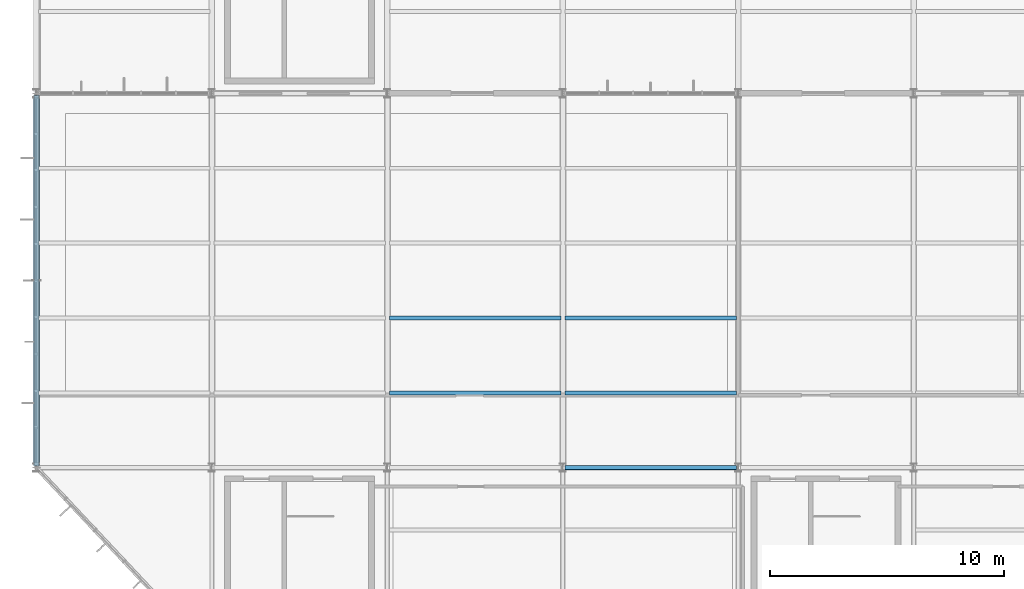
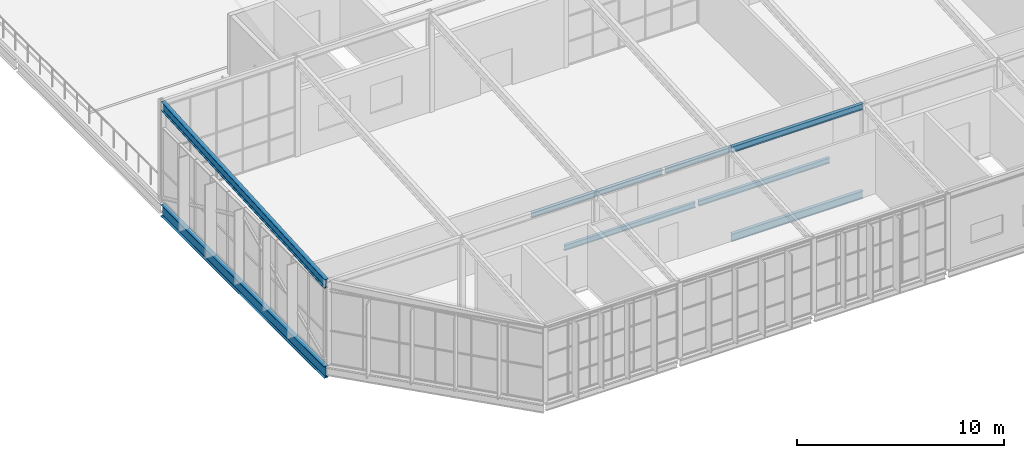
# One storey, part 15 of 104: 8 beams.
"""IFC4 building model written with IfcOpenShell, lengths in metres."""

from ifc_helpers import new_model, si_unit, direction, frame, origin, origin_2d, place, context, subcontext, project, spatial, i_section, extrude, material, material_profile, profile_set, type_object, element, save


model = new_model("IFC4")

# Units and contexts
model_context = context("Model", 3, precision=1e-05, world=origin(), true_north=direction((0.0, 1.0)))
body_context = subcontext(model_context, "Body", "Model", "MODEL_VIEW")
ifc_project = project(units=[si_unit("LENGTHUNIT", "METRE"), si_unit("AREAUNIT", "SQUARE_METRE"), si_unit("VOLUMEUNIT", "CUBIC_METRE"), si_unit("PLANEANGLEUNIT", "RADIAN"), si_unit("MASSUNIT", "GRAM", prefix="KILO")], contexts=[model_context])

# Site, building, storey
site_placement = place(None, origin())
site = spatial("IfcSite", under=ifc_project, at=site_placement, CompositionType="ELEMENT")
building_placement = place(site_placement, origin())
building = spatial("IfcBuilding", under=site, at=building_placement, Name="Solvenia Promenade Tram Depot", CompositionType="ELEMENT")
storey_placement = place(building_placement, frame((0.0, 0.0, 9.0)))
storey = spatial("IfcBuildingStorey", under=building, at=storey_placement, Name="L02", CompositionType="ELEMENT", Elevation=9.0)

# Beams
ifc_material = material(Name="Structural steel ASTM A992 Gr. 50", Category="steel")
ifc_material_profile_1 = material_profile(ifc_material, i_section(OverallWidth=0.19091796875, OverallDepth=0.4599609375, WebThickness=0.010009765625, FlangeThickness=0.01611328125, FilletRadius=0.012939453125, at=origin_2d()), Name="W460x82", Category="steel")
ifc_profile_set_1 = profile_set([ifc_material_profile_1], Name="Structural steel ASTM A992 Gr. 50")
beam_type_1 = type_object("IfcBeamType", Name="Beam-W460x82", PredefinedType="BEAM", material=ifc_profile_set_1)
beam_1_placement = place(storey_placement, frame((22.5849609375, 8.0, -0.449951171875), z_axis=(1.0, 0.0, 0.0), x_axis=(0.0, 1.0, 0.0)))
element("IfcBeam", 1, at=beam_1_placement, inside=storey, type_object=beam_type_1, Name="Primary Girder BM-L02-0532", PredefinedType="BEAM", context=body_context, shape_type="SweptSolid", body=[
    extrude(i_section(OverallWidth=0.19091796875, OverallDepth=0.4599609375, WebThickness=0.010009765625, FlangeThickness=0.01611328125, FilletRadius=0.012939453125, at=origin_2d()), origin(), (0.0, 0.0, 1.0), 7.330078125),
])
ifc_material_profile_2 = material_profile(ifc_material, i_section(OverallWidth=0.2099609375, OverallDepth=0.537109375, WebThickness=0.010986328125, FlangeThickness=0.017333984375, FilletRadius=0.013916015625, at=origin_2d()), Name="W530x101", Category="steel")
ifc_profile_set_2 = profile_set([ifc_material_profile_2], Name="Structural steel ASTM A992 Gr. 50")
beam_type_2 = type_object("IfcBeamType", Name="Gird-W530x101", PredefinedType="BEAM", material=ifc_profile_set_2)
beam_2_placement = place(storey_placement, frame((0.0, 8.0849609375, 4.658203125), z_axis=(0.0, 0.998266347418, 0.058858301144), x_axis=(-1.0, 0.0, 0.0)))
element("IfcBeam", 2, at=beam_2_placement, inside=storey, type_object=beam_type_2, Name="Folded Wing Main Rafter BM-L02-0843", PredefinedType="BEAM", context=body_context, shape_type="SweptSolid", body=[
    extrude(i_section(OverallWidth=0.2099609375, OverallDepth=0.537109375, WebThickness=0.010986328125, FlangeThickness=0.017333984375, FilletRadius=0.013916015625, at=origin_2d()), origin(), (0.0, 0.0, 1.0), 15.857666015625),
])
ifc_material_profile_3 = material_profile(ifc_material, i_section(OverallWidth=0.25390625, OverallDepth=0.68408203125, WebThickness=0.012451171875, FlangeThickness=0.018798828125, FilletRadius=0.01611328125, at=origin_2d()), Name="W690x140", Category="steel")
ifc_profile_set_3 = profile_set([ifc_material_profile_3], Name="Structural steel ASTM A992 Gr. 50")
beam_type_3 = type_object("IfcBeamType", Name="Gird-W690x140", PredefinedType="BEAM", material=ifc_profile_set_3)
beam_3_placement = place(storey_placement, frame((0.0, 8.0849609375, -0.56201171875), z_axis=(0.0, 1.0, 0.0), x_axis=(-1.0, 0.0, 0.0)))
element("IfcBeam", 3, at=beam_3_placement, inside=storey, type_object=beam_type_3, Name="Transverse Girder BM-L02-0543", PredefinedType="BEAM", context=body_context, shape_type="SweptSolid", body=[
    extrude(i_section(OverallWidth=0.25390625, OverallDepth=0.68408203125, WebThickness=0.012451171875, FlangeThickness=0.018798828125, FilletRadius=0.01611328125, at=origin_2d()), origin(), (0.0, 0.0, 1.0), 15.830078125),
])
ifc_material_profile_4 = material_profile(ifc_material, i_section(OverallWidth=0.166015625, OverallDepth=0.31298828125, WebThickness=0.006591796875, FlangeThickness=0.01123046875, FilletRadius=0.010009765625, at=origin_2d()), Name="W310x45", Category="steel")
ifc_profile_set_4 = profile_set([ifc_material_profile_4], Name="Structural steel ASTM A992 Gr. 50")
beam_type_4 = type_object("IfcBeamType", Name="Joist-W310x45", PredefinedType="JOIST", material=ifc_profile_set_4)
for number, where, z_axis, x_axis, name in (
    (4, (15.0849609375, 11.199951171875, -0.37646484375), (1.0, 0.0, 0.0), (0.0, 1.0, 0.0), "Secondary Floor Joist BM-L02-0569"),
    (5, (15.0849609375, 14.39990234375, -0.37646484375), (1.0, 0.0, 0.0), (0.0, 1.0, 0.0), "Secondary Floor Joist BM-L02-0570"),
    (6, (22.5849609375, 11.199951171875, -0.37646484375), (1.0, 0.0, 0.0), (0.0, 1.0, 0.0), "Secondary Floor Joist BM-L02-0575"),
    (7, (22.5849609375, 14.39990234375, -0.37646484375), (1.0, 0.0, 0.0), (0.0, 1.0, 0.0), "Secondary Floor Joist BM-L02-0576"),
):
    element("IfcBeam", number, at=place(storey_placement, frame(where, z_axis=z_axis, x_axis=x_axis)), inside=storey, type_object=beam_type_4, Name=name, PredefinedType="JOIST", context=body_context, shape_type="SweptSolid", body=[
        extrude(i_section(OverallWidth=0.166015625, OverallDepth=0.31298828125, WebThickness=0.006591796875, FlangeThickness=0.01123046875, FilletRadius=0.010009765625, at=origin_2d()), origin(), (0.0, 0.0, 1.0), 7.330078125),
    ])
ifc_material_profile_5 = material_profile(ifc_material, i_section(OverallWidth=0.172119140625, OverallDepth=0.35791015625, WebThickness=0.0078125, FlangeThickness=0.01318359375, FilletRadius=0.010986328125, at=origin_2d()), Name="W360x57", Category="steel")
ifc_profile_set_5 = profile_set([ifc_material_profile_5], Name="Structural steel ASTM A992 Gr. 50")
beam_type_5 = type_object("IfcBeamType", Name="Spandrel-W360x57", PredefinedType="SPANDREL", material=ifc_profile_set_5)
beam_4_placement = place(storey_placement, frame((22.5849609375, 8.0, 4.747802734375), z_axis=(1.0, 0.0, 0.0), x_axis=(0.0, 1.0, 0.0)))
element("IfcBeam", 8, at=beam_4_placement, inside=storey, type_object=beam_type_5, Name="Folded Wing Roof Eave Beam BM-L02-0868", PredefinedType="SPANDREL", context=body_context, shape_type="SweptSolid", body=[
    extrude(i_section(OverallWidth=0.172119140625, OverallDepth=0.35791015625, WebThickness=0.0078125, FlangeThickness=0.01318359375, FilletRadius=0.010986328125, at=origin_2d()), origin(), (0.0, 0.0, 1.0), 7.330078125),
])

save(model, "model.ifc")
